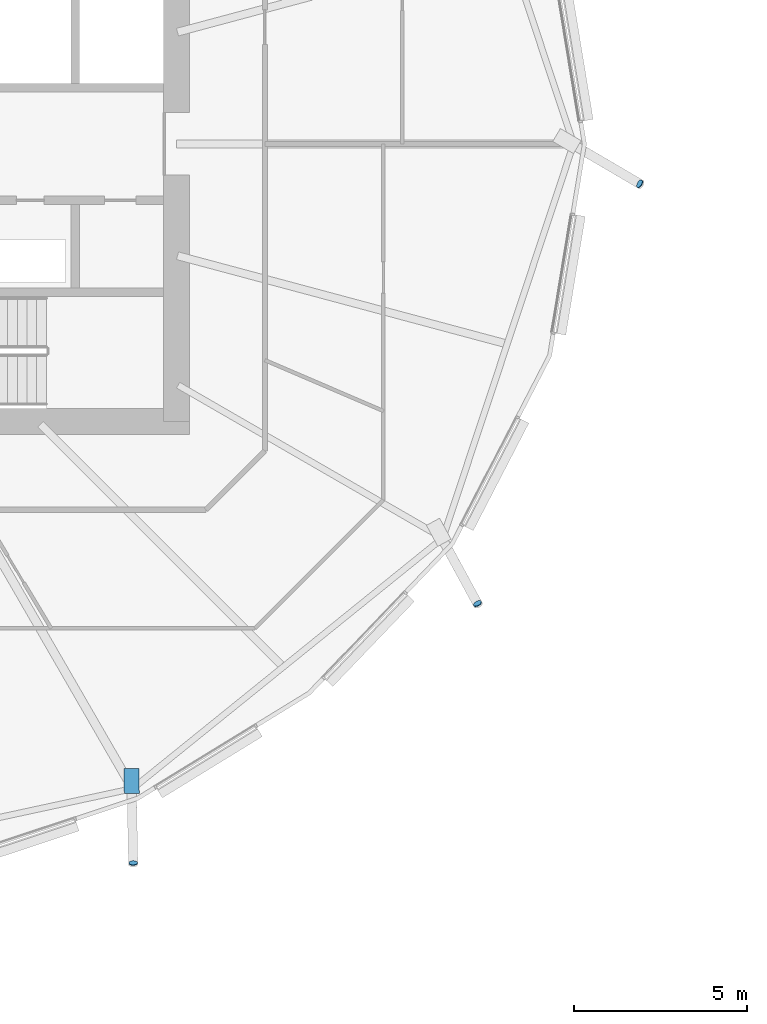
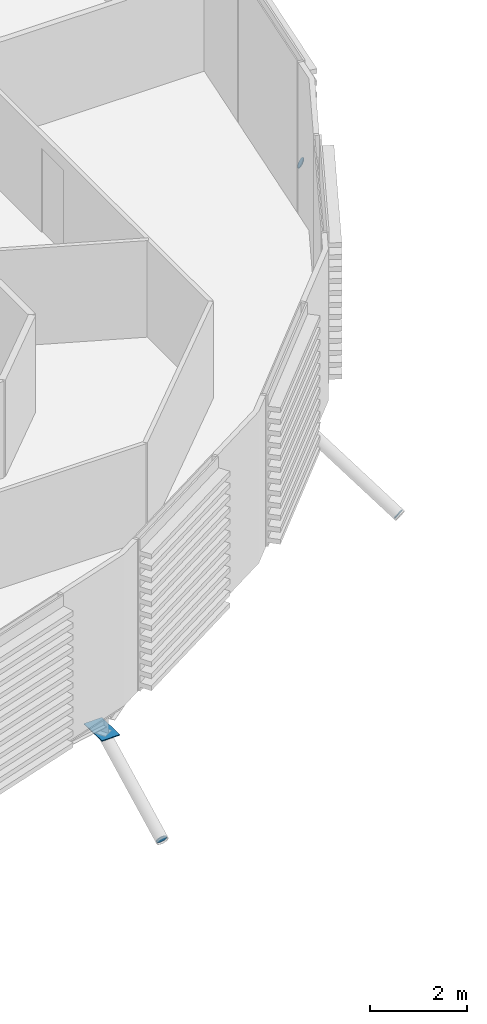
# One storey, part 30 of 43: 4 discrete accessories.
"""IFC4 building model written with IfcOpenShell, lengths in metres."""

from ifc_helpers import new_model, si_unit, direction, frame, origin, origin_2d, place, context, subcontext, project, spatial, polyline, rectangle, circle, outline, extrude, material, material_profile, profile_set, type_object, element, save


model = new_model("IFC4")

# Units and contexts
model_context = context("Model", 3, precision=1e-05, world=origin(), true_north=direction((0.0, 1.0)))
body_context = subcontext(model_context, "Body", "Model", "MODEL_VIEW")
ifc_project = project(units=[si_unit("LENGTHUNIT", "METRE"), si_unit("AREAUNIT", "SQUARE_METRE"), si_unit("VOLUMEUNIT", "CUBIC_METRE"), si_unit("PLANEANGLEUNIT", "RADIAN"), si_unit("MASSUNIT", "GRAM", prefix="KILO")], contexts=[model_context])

# Site, building, storey
site_placement = place(None, origin())
site = spatial("IfcSite", under=ifc_project, at=site_placement, CompositionType="ELEMENT")
building_placement = place(site_placement, origin())
building = spatial("IfcBuilding", under=site, at=building_placement, Name="Rimbun Link Towers", CompositionType="ELEMENT")
storey_placement = place(building_placement, frame((0.0, 0.0, 81.60009765625)))
storey = spatial("IfcBuildingStorey", under=building, at=storey_placement, Name="L19", CompositionType="ELEMENT", Elevation=81.60009765625)

# Discrete accessories
ifc_material_1 = material(Name="Steel S355J2H", Category="steel")
ifc_material_profile_1 = material_profile(ifc_material_1, circle(Radius=0.1240234375, at=origin_2d()), Name="PL D248")
ifc_profile_set_1 = profile_set([ifc_material_profile_1], Name="Steel S355J2H")
discrete_accessory_type_1 = type_object("IfcDiscreteAccessoryType", Name="Link foot sealing plate D248X20", PredefinedType="BRACKET", material=ifc_profile_set_1)
discrete_accessory_1_placement = place(storey_placement, frame((-6.3955078125, -1.144775390625, -2.226318359375), z_axis=(0.749326945118, -0.429941689822, -0.503645979506), x_axis=(0.49766945737, 0.867366768559, 0.0)))
element("IfcDiscreteAccessory", 1, at=discrete_accessory_1_placement, inside=storey, type_object=discrete_accessory_type_1, Name="Link foot sealing plate T1 L19 00", PredefinedType="BRACKET", context=body_context, shape_type="SweptSolid", body=[
    extrude(circle(Radius=0.1240234375, at=origin_2d()), origin(), (0.0, 0.0, 1.0), 0.019775390625),
])
discrete_accessory_2_placement = place(storey_placement, frame((-20.998779296875, -20.73046875, -2.17578125), z_axis=(0.012140178547, -0.874092855378, -0.485607141877), x_axis=(0.999903563335, 0.013887549491, 0.0)))
element("IfcDiscreteAccessory", 2, at=discrete_accessory_2_placement, inside=storey, type_object=discrete_accessory_type_1, Name="Link foot sealing plate T1 L19 20", PredefinedType="BRACKET", context=body_context, shape_type="SweptSolid", body=[
    extrude(circle(Radius=0.1240234375, at=origin_2d()), origin(), (0.0, 0.0, 1.0), 0.02001953125),
])
discrete_accessory_3_placement = place(storey_placement, frame((-11.072021484375, -13.25048828125, -2.043701171875), z_axis=(0.41083301237, -0.749166081381, -0.519582927409), x_axis=(0.876812408671, 0.480832611207, 0.0)))
element("IfcDiscreteAccessory", 3, at=discrete_accessory_3_placement, inside=storey, type_object=discrete_accessory_type_1, Name="Link foot sealing plate T1 L19 22", PredefinedType="BRACKET", context=body_context, shape_type="SweptSolid", body=[
    extrude(circle(Radius=0.1240234375, at=origin_2d()), origin(), (0.0, 0.0, 1.0), 0.020263671875),
])
ifc_material_2 = material(Name="Steel S355J2H", Category="steel")
ifc_material_profile_2 = material_profile(ifc_material_2, rectangle(XDim=0.43310546875, YDim=0.43310546875, at=origin_2d()), Name="PL 433x433")
ifc_profile_set_2 = profile_set([ifc_material_profile_2], Name="Steel S355J2H")
discrete_accessory_type_2 = type_object("IfcDiscreteAccessoryType", Name="Link head end plate 433X20", PredefinedType="BRACKET", material=ifc_profile_set_2)
discrete_accessory_4_placement = place(storey_placement, frame((0.0, 0.0, -0.863525390625)))
element("IfcDiscreteAccessory", 4, at=discrete_accessory_4_placement, inside=storey, type_object=discrete_accessory_type_2, Name="Link head end plate T1 L19 20", PredefinedType="BRACKET", context=body_context, shape_type="SweptSolid", body=[
    extrude(outline(polyline([(-21.267578125, -18.014404296875), (-21.253662109375, -18.736083984375), (-20.82080078125, -18.727783203125), (-20.834716796875, -18.006103515625), (-21.267578125, -18.014404296875)])), origin(), (0.0, 0.0, 1.0), 0.02001953125),
])

save(model, "model.ifc")
